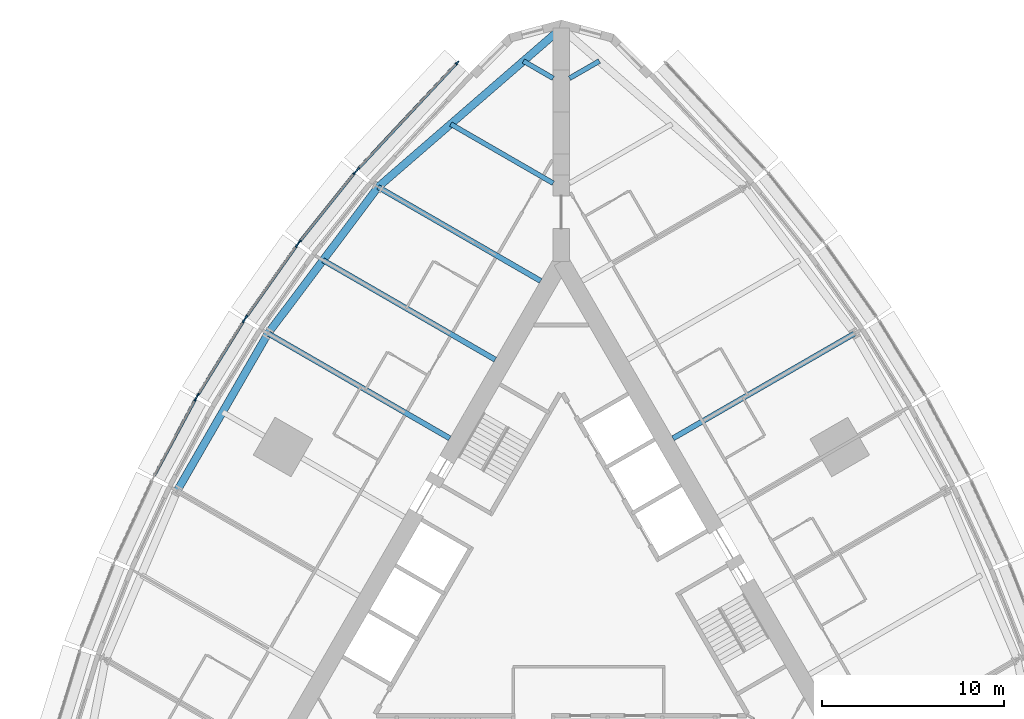
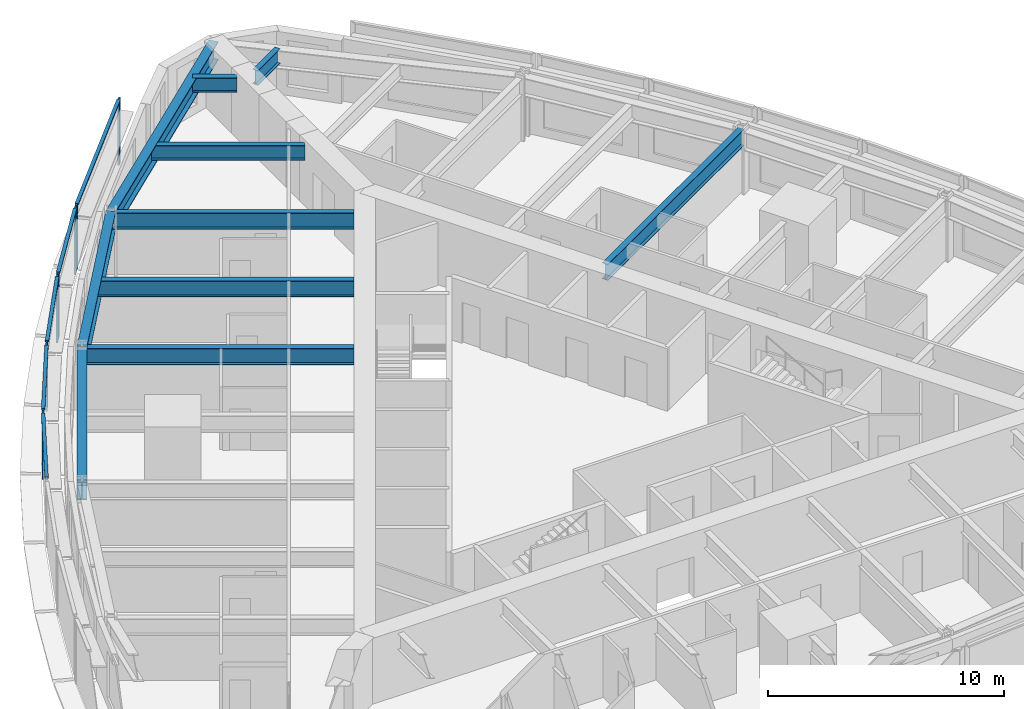
# One storey, part 4 of 14: 14 members, 10 beams, 5 elements without a shape of their own.
"""IFC4 building model written with IfcOpenShell, lengths in metres."""

from ifc_helpers import new_model, si_unit, direction, frame, origin, origin_2d, place, context, subcontext, project, spatial, rectangle, i_section, extrude, material, material_profile, profile_set, type_object, element, aggregate, save


model = new_model("IFC4")

# Units and contexts
model_context = context("Model", 3, precision=1e-05, world=origin(), true_north=direction((0.0, 1.0)))
body_context = subcontext(model_context, "Body", "Model", "MODEL_VIEW")
ifc_project = project(units=[si_unit("LENGTHUNIT", "METRE"), si_unit("AREAUNIT", "SQUARE_METRE"), si_unit("VOLUMEUNIT", "CUBIC_METRE"), si_unit("PLANEANGLEUNIT", "RADIAN"), si_unit("MASSUNIT", "GRAM", prefix="KILO")], contexts=[model_context])

# Site, building, storey
site_placement = place(None, origin())
site = spatial("IfcSite", under=ifc_project, at=site_placement, CompositionType="ELEMENT")
building_placement = place(site_placement, origin())
building = spatial("IfcBuilding", under=site, at=building_placement, Name="Trikona Tower", CompositionType="ELEMENT")
storey_placement = place(building_placement, frame((0.0, 0.0, 62.5)))
storey = spatial("IfcBuildingStorey", under=building, at=storey_placement, Name="L15", CompositionType="ELEMENT", Elevation=62.5)

# Curtain wall, members
ifc_material_1 = material(Name="Aluminium curtain wall system", Category="aluminium")
curtain_wall_type = type_object("IfcCurtainWallType", Name="Curtain wall DS1", PredefinedType="NOTDEFINED", material=ifc_material_1)
curtain_wall_1_placement = place(storey_placement, origin())
curtain_wall_1 = element("IfcCurtainWall", 1, at=curtain_wall_1_placement, inside=storey, type_object=curtain_wall_type, Name="Curtain wall DS1 L15", PredefinedType="NOTDEFINED")
ifc_material_2 = material(Name="Aluminium mullion, pale anodised", Category="aluminium")
ifc_material_profile_1 = material_profile(ifc_material_2, rectangle(XDim=0.080078125, YDim=0.219970703125, at=origin_2d()), Name="MUL-DS1")
ifc_profile_set_1 = profile_set([ifc_material_profile_1], Name="Aluminium mullion, pale anodised")
member_type_1 = type_object("IfcMemberType", Name="Mullion DS1 80x220", PredefinedType="MULLION", material=ifc_profile_set_1)
member_1_placement = place(storey_placement, frame((-5.72607421875, 29.98583984375, 0.0), z_axis=(0.0, 0.0, 1.0), x_axis=(0.731076639405, -0.682295351967, 0.0)))
member_1 = element("IfcMember", 2, at=member_1_placement, type_object=member_type_1, Name="CW-DS1 mullion 1", PredefinedType="MULLION", context=body_context, shape_type="SweptSolid", body=[
    extrude(rectangle(XDim=0.080078125, YDim=0.219970703125, at=origin_2d()), origin(), (0.0, 0.0, 1.0), 3.39990234375),
])
member_2_placement = place(storey_placement, frame((-11.192138671875, 24.129150390625, 0.0), z_axis=(0.0, 0.0, 1.0), x_axis=(0.731076639405, -0.682295351967, 0.0)))
member_2 = element("IfcMember", 3, at=member_2_placement, type_object=member_type_1, Name="CW-DS1 mullion 2", PredefinedType="MULLION", context=body_context, shape_type="SweptSolid", body=[
    extrude(rectangle(XDim=0.080078125, YDim=0.219970703125, at=origin_2d()), origin(), (0.0, 0.0, 1.0), 3.39990234375),
])

curtain_wall_2_placement = place(storey_placement, origin())
curtain_wall_2 = element("IfcCurtainWall", 4, at=curtain_wall_2_placement, inside=storey, type_object=curtain_wall_type, Name="Curtain wall DS1 L15", PredefinedType="NOTDEFINED")
member_3_placement = place(storey_placement, frame((-11.36767578125, 23.926025390625, 0.0), z_axis=(0.0, 0.0, 1.0), x_axis=(0.780937959679, -0.624608599951, 0.0)))
member_3 = element("IfcMember", 5, at=member_3_placement, type_object=member_type_1, Name="CW-DS1 mullion 1", PredefinedType="MULLION", context=body_context, shape_type="SweptSolid", body=[
    extrude(rectangle(XDim=0.080078125, YDim=0.219970703125, at=origin_2d()), origin(), (0.0, 0.0, 1.0), 3.39990234375),
])
member_4_placement = place(storey_placement, frame((-14.40185546875, 20.13232421875, 0.0), z_axis=(0.0, 0.0, 1.0), x_axis=(0.780937959679, -0.624608599951, 0.0)))
member_4 = element("IfcMember", 6, at=member_4_placement, type_object=member_type_1, Name="CW-DS1 mullion 2", PredefinedType="MULLION", context=body_context, shape_type="SweptSolid", body=[
    extrude(rectangle(XDim=0.080078125, YDim=0.219970703125, at=origin_2d()), origin(), (0.0, 0.0, 1.0), 3.39990234375),
])

curtain_wall_3_placement = place(storey_placement, origin())
curtain_wall_3 = element("IfcCurtainWall", 7, at=curtain_wall_3_placement, inside=storey, type_object=curtain_wall_type, Name="Curtain wall DS1 L15", PredefinedType="NOTDEFINED")
member_5_placement = place(storey_placement, frame((-14.554443359375, 19.929443359375, 0.0), z_axis=(0.0, 0.0, 1.0), x_axis=(0.816985393055, -0.576658362928, 0.0)))
member_5 = element("IfcMember", 8, at=member_5_placement, type_object=member_type_1, Name="CW-DS1 mullion 1", PredefinedType="MULLION", context=body_context, shape_type="SweptSolid", body=[
    extrude(rectangle(XDim=0.080078125, YDim=0.219970703125, at=origin_2d()), origin(), (0.0, 0.0, 1.0), 3.39990234375),
])
member_6_placement = place(storey_placement, frame((-17.33447265625, 15.990966796875, 0.0), z_axis=(0.0, 0.0, 1.0), x_axis=(0.816985393055, -0.576658362928, 0.0)))
member_6 = element("IfcMember", 9, at=member_6_placement, type_object=member_type_1, Name="CW-DS1 mullion 2", PredefinedType="MULLION", context=body_context, shape_type="SweptSolid", body=[
    extrude(rectangle(XDim=0.080078125, YDim=0.219970703125, at=origin_2d()), origin(), (0.0, 0.0, 1.0), 3.39990234375),
])

curtain_wall_4_placement = place(storey_placement, origin())
curtain_wall_4 = element("IfcCurtainWall", 10, at=curtain_wall_4_placement, inside=storey, type_object=curtain_wall_type, Name="Curtain wall DS1 L15", PredefinedType="NOTDEFINED")
member_7_placement = place(storey_placement, frame((-17.474853515625, 15.77880859375, 0.0), z_axis=(0.0, 0.0, 1.0), x_axis=(0.850410468941, -0.526119790842, 0.0)))
member_7 = element("IfcMember", 11, at=member_7_placement, type_object=member_type_1, Name="CW-DS1 mullion 1", PredefinedType="MULLION", context=body_context, shape_type="SweptSolid", body=[
    extrude(rectangle(XDim=0.080078125, YDim=0.219970703125, at=origin_2d()), origin(), (0.0, 0.0, 1.0), 3.39990234375),
])
member_8_placement = place(storey_placement, frame((-20.00146484375, 11.69482421875, 0.0), z_axis=(0.0, 0.0, 1.0), x_axis=(0.850410468941, -0.526119790842, 0.0)))
member_8 = element("IfcMember", 12, at=member_8_placement, type_object=member_type_1, Name="CW-DS1 mullion 2", PredefinedType="MULLION", context=body_context, shape_type="SweptSolid", body=[
    extrude(rectangle(XDim=0.080078125, YDim=0.219970703125, at=origin_2d()), origin(), (0.0, 0.0, 1.0), 3.39990234375),
])

# Curtain wall, member
curtain_wall_5_placement = place(storey_placement, origin())
curtain_wall_5 = element("IfcCurtainWall", 13, at=curtain_wall_5_placement, inside=storey, type_object=curtain_wall_type, Name="Curtain wall DS1 L15", PredefinedType="NOTDEFINED")
member_9_placement = place(storey_placement, frame((-20.128662109375, 11.474365234375, 0.0), z_axis=(0.0, 0.0, 1.0), x_axis=(0.880843080975, -0.473408350896, 0.0)))
member_9 = element("IfcMember", 14, at=member_9_placement, type_object=member_type_1, Name="CW-DS1 mullion 1", PredefinedType="MULLION", context=body_context, shape_type="SweptSolid", body=[
    extrude(rectangle(XDim=0.080078125, YDim=0.219970703125, at=origin_2d()), origin(), (0.0, 0.0, 1.0), 3.39990234375),
])

# Beams
ifc_material_3 = material(Name="Steel ASTM A992 Grade 50", Category="steel")
ifc_material_profile_2 = material_profile(ifc_material_3, i_section(OverallWidth=0.2666015625, OverallDepth=0.76953125, WebThickness=0.015625, FlangeThickness=0.025390625, at=origin_2d()), Name="W30X132")
ifc_profile_set_2 = profile_set([ifc_material_profile_2], Name="Steel ASTM A992 Grade 50")
beam_type_1 = type_object("IfcBeamType", Name="Steel beam W30x132 (wedge)", PredefinedType="BEAM", material=ifc_profile_set_2)
for number, where, z_axis, x_axis, name in (
    (15, (0.449951171875, 29.127197265625, 2.85009765625), (0.866009237431, 0.5000279999, 0.0), (-0.5000279999, 0.866009237431, 0.0), "Floor beam L16 F2 u25"),
    (16, (-0.449951171875, 29.127197265625, 2.85009765625), (-0.866009237431, 0.5000279999, 0.0), (-0.5000279999, -0.866009237431, 0.0), "Floor beam L16 F3 u-25"),
):
    element("IfcBeam", number, at=place(storey_placement, frame(where, z_axis=z_axis, x_axis=x_axis)), inside=storey, type_object=beam_type_1, Name=name, PredefinedType="BEAM", context=body_context, shape_type="SweptSolid", body=[
        extrude(i_section(OverallWidth=0.2666015625, OverallDepth=0.76953125, WebThickness=0.015625, FlangeThickness=0.025390625, at=origin_2d()), origin(), (0.0, 0.0, 1.0), 1.890625),
    ])
beam_1_placement = place(storey_placement, frame((-0.449951171875, 23.353759765625, 2.85009765625), z_axis=(-0.866022504693, 0.50000502134, 0.0), x_axis=(-0.50000502134, -0.866022504693, 0.0)))
element("IfcBeam", 17, at=beam_1_placement, inside=storey, type_object=beam_type_1, Name="Floor beam L16 F3 u-20", PredefinedType="BEAM", context=body_context, shape_type="SweptSolid", body=[
    extrude(i_section(OverallWidth=0.2666015625, OverallDepth=0.76953125, WebThickness=0.015625, FlangeThickness=0.025390625, at=origin_2d()), origin(), (0.0, 0.0, 1.0), 6.5068359375),
])
ifc_material_4 = material(Name="Steel ASTM A992 Grade 50", Category="steel")
ifc_material_profile_3 = material_profile(ifc_material_4, i_section(OverallWidth=0.2919921875, OverallDepth=0.845703125, WebThickness=0.015380859375, FlangeThickness=0.0244140625, at=origin_2d()), Name="W33X141")
ifc_profile_set_3 = profile_set([ifc_material_profile_3], Name="Steel ASTM A992 Grade 50")
beam_type_2 = type_object("IfcBeamType", Name="Steel beam W33x141 (radial typ)", PredefinedType="BEAM", material=ifc_profile_set_3)
beam_2_placement = place(storey_placement, frame((6.1396484375, 9.318359375, 2.81201171875), z_axis=(0.866029923217, 0.499992172032, 0.0), x_axis=(-0.499992172032, 0.866029923217, 0.0)))
element("IfcBeam", 18, at=beam_2_placement, inside=storey, type_object=beam_type_2, Name="Floor beam L16 F2 u5", PredefinedType="BEAM", context=body_context, shape_type="SweptSolid", body=[
    extrude(i_section(OverallWidth=0.2919921875, OverallDepth=0.845703125, WebThickness=0.015380859375, FlangeThickness=0.0244140625, at=origin_2d()), origin(), (0.0, 0.0, 1.0), 11.544189453125),
])
beam_3_placement = place(storey_placement, frame((-1.1396484375, 17.978515625, 2.81201171875), z_axis=(-0.866030471684, 0.499991222037, 0.0), x_axis=(-0.499991222037, -0.866030471684, 0.0)))
element("IfcBeam", 19, at=beam_3_placement, inside=storey, type_object=beam_type_2, Name="Floor beam L16 F3 u-15", PredefinedType="BEAM", context=body_context, shape_type="SweptSolid", body=[
    extrude(i_section(OverallWidth=0.2919921875, OverallDepth=0.845703125, WebThickness=0.015380859375, FlangeThickness=0.0244140625, at=origin_2d()), origin(), (0.0, 0.0, 1.0), 10.326904296875),
])
beam_4_placement = place(storey_placement, frame((-3.6396484375, 13.6484375, 2.81201171875), z_axis=(-0.866025348605, 0.500000095573, 0.0), x_axis=(-0.500000095573, -0.866025348605, 0.0)))
element("IfcBeam", 20, at=beam_4_placement, inside=storey, type_object=beam_type_2, Name="Floor beam L16 F3 u-10", PredefinedType="BEAM", context=body_context, shape_type="SweptSolid", body=[
    extrude(i_section(OverallWidth=0.2919921875, OverallDepth=0.845703125, WebThickness=0.015380859375, FlangeThickness=0.0244140625, at=origin_2d()), origin(), (0.0, 0.0, 1.0), 10.935546875),
])
beam_5_placement = place(storey_placement, frame((-6.1396484375, 9.318359375, 2.81201171875), z_axis=(-0.866029923217, 0.499992172032, 0.0), x_axis=(-0.499992172032, -0.866029923217, 0.0)))
element("IfcBeam", 21, at=beam_5_placement, inside=storey, type_object=beam_type_2, Name="Floor beam L16 F3 u-5", PredefinedType="BEAM", context=body_context, shape_type="SweptSolid", body=[
    extrude(i_section(OverallWidth=0.2919921875, OverallDepth=0.845703125, WebThickness=0.015380859375, FlangeThickness=0.0244140625, at=origin_2d()), origin(), (0.0, 0.0, 1.0), 11.544189453125),
])
ifc_material_5 = material(Name="Steel ASTM A992 Grade 50", Category="steel")
ifc_material_profile_4 = material_profile(ifc_material_5, i_section(OverallWidth=0.424072265625, OverallDepth=0.947509765625, WebThickness=0.02392578125, FlangeThickness=0.042724609375, at=origin_2d()), Name="W36X302")
ifc_profile_set_4 = profile_set([ifc_material_profile_4], Name="Steel ASTM A992 Grade 50")
beam_type_3 = type_object("IfcBeamType", Name="Steel beam W36x302 (spandrel)", PredefinedType="SPANDREL", material=ifc_profile_set_4)
beam_6_placement = place(storey_placement, frame((0.0, 31.881591796875, 2.76123046875), z_axis=(-0.755646822726, -0.654979296851, 0.0), x_axis=(0.654979296851, -0.755646822726, 0.0)))
element("IfcBeam", 22, at=beam_6_placement, inside=storey, type_object=beam_type_3, Name="Spandrel beam L16 F3-1", PredefinedType="SPANDREL", context=body_context, shape_type="SweptSolid", body=[
    extrude(i_section(OverallWidth=0.424072265625, OverallDepth=0.947509765625, WebThickness=0.02392578125, FlangeThickness=0.042724609375, at=origin_2d()), origin(), (0.0, 0.0, 1.0), 13.343505859375),
])
beam_7_placement = place(storey_placement, frame((-10.0830078125, 23.141845703125, 2.76123046875), z_axis=(-0.600988344191, -0.799257787042, 0.0), x_axis=(0.799257787042, -0.600988344191, 0.0)))
element("IfcBeam", 23, at=beam_7_placement, inside=storey, type_object=beam_type_3, Name="Spandrel beam L16 F3-2", PredefinedType="SPANDREL", context=body_context, shape_type="SweptSolid", body=[
    extrude(i_section(OverallWidth=0.424072265625, OverallDepth=0.947509765625, WebThickness=0.02392578125, FlangeThickness=0.042724609375, at=origin_2d()), origin(), (0.0, 0.0, 1.0), 10.07373046875),
])
beam_8_placement = place(storey_placement, frame((-16.13720703125, 15.09033203125, 2.76123046875), z_axis=(-0.500004234368, -0.866022959057, 0.0), x_axis=(0.866022959057, -0.500004234368, 0.0)))
element("IfcBeam", 24, at=beam_8_placement, inside=storey, type_object=beam_type_3, Name="Spandrel beam L16 F3-3", PredefinedType="SPANDREL", context=body_context, shape_type="SweptSolid", body=[
    extrude(i_section(OverallWidth=0.424072265625, OverallDepth=0.947509765625, WebThickness=0.02392578125, FlangeThickness=0.042724609375, at=origin_2d()), origin(), (0.0, 0.0, 1.0), 10.0),
])

# Member
ifc_material_6 = material(Name="Aluminium transom, pale anodised", Category="aluminium")
ifc_material_profile_5 = material_profile(ifc_material_6, rectangle(XDim=0.159912109375, YDim=0.080078125, at=origin_2d()), Name="TRN-DS1")
ifc_profile_set_5 = profile_set([ifc_material_profile_5], Name="Aluminium transom, pale anodised")
member_type_2 = type_object("IfcMemberType", Name="Transom DS1 80x160", PredefinedType="USERDEFINED", material=ifc_profile_set_5)
member_10_placement = place(storey_placement, frame((-5.75341796875, 29.95654296875, 3.360107421875), z_axis=(-0.682290830921, -0.731080858758, 0.0), x_axis=(0.731080858758, -0.682290830921, 0.0)))
member_10 = element("IfcMember", 25, at=member_10_placement, type_object=member_type_2, Name="CW-DS1 transom 1.1", ObjectType="TRANSOM", PredefinedType="USERDEFINED", context=body_context, shape_type="SweptSolid", body=[
    extrude(rectangle(XDim=0.159912109375, YDim=0.080078125, at=origin_2d()), origin(), (0.0, 0.0, 1.0), 7.93115234375),
])

aggregate(curtain_wall_1, [member_1, member_2, member_10])

member_11_placement = place(storey_placement, frame((-11.392822265625, 23.894775390625, 3.360107421875), z_axis=(-0.624589103832, -0.780953552636, 0.0), x_axis=(0.780953552636, -0.624589103832, 0.0)))
member_11 = element("IfcMember", 26, at=member_11_placement, type_object=member_type_2, Name="CW-DS1 transom 1.1", ObjectType="TRANSOM", PredefinedType="USERDEFINED", context=body_context, shape_type="SweptSolid", body=[
    extrude(rectangle(XDim=0.159912109375, YDim=0.080078125, at=origin_2d()), origin(), (0.0, 0.0, 1.0), 4.77783203125),
])

aggregate(curtain_wall_2, [member_3, member_4, member_11])

member_12_placement = place(storey_placement, frame((-14.57763671875, 19.896728515625, 3.360107421875), z_axis=(-0.57664478015, -0.816994980111, 0.0), x_axis=(0.816994980111, -0.57664478015, 0.0)))
member_12 = element("IfcMember", 27, at=member_12_placement, type_object=member_type_2, Name="CW-DS1 transom 1.1", ObjectType="TRANSOM", PredefinedType="USERDEFINED", context=body_context, shape_type="SweptSolid", body=[
    extrude(rectangle(XDim=0.159912109375, YDim=0.080078125, at=origin_2d()), origin(), (0.0, 0.0, 1.0), 4.740478515625),
])

aggregate(curtain_wall_3, [member_5, member_6, member_12])

member_13_placement = place(storey_placement, frame((-17.495849609375, 15.744873046875, 3.360107421875), z_axis=(-0.526080502257, -0.850434774186, 0.0), x_axis=(0.850434774186, -0.526080502257, 0.0)))
member_13 = element("IfcMember", 28, at=member_13_placement, type_object=member_type_2, Name="CW-DS1 transom 1.1", ObjectType="TRANSOM", PredefinedType="USERDEFINED", context=body_context, shape_type="SweptSolid", body=[
    extrude(rectangle(XDim=0.159912109375, YDim=0.080078125, at=origin_2d()), origin(), (0.0, 0.0, 1.0), 4.722412109375),
])

aggregate(curtain_wall_4, [member_7, member_8, member_13])

member_14_placement = place(storey_placement, frame((-20.147705078125, 11.43896484375, 3.360107421875), z_axis=(-0.473427569755, -0.880832751546, 0.0), x_axis=(0.880832751546, -0.473427569755, 0.0)))
member_14 = element("IfcMember", 29, at=member_14_placement, type_object=member_type_2, Name="CW-DS1 transom 1.1", ObjectType="TRANSOM", PredefinedType="USERDEFINED", context=body_context, shape_type="SweptSolid", body=[
    extrude(rectangle(XDim=0.159912109375, YDim=0.080078125, at=origin_2d()), origin(), (0.0, 0.0, 1.0), 4.72216796875),
])

aggregate(curtain_wall_5, [member_9, member_14])

save(model, "model.ifc")
